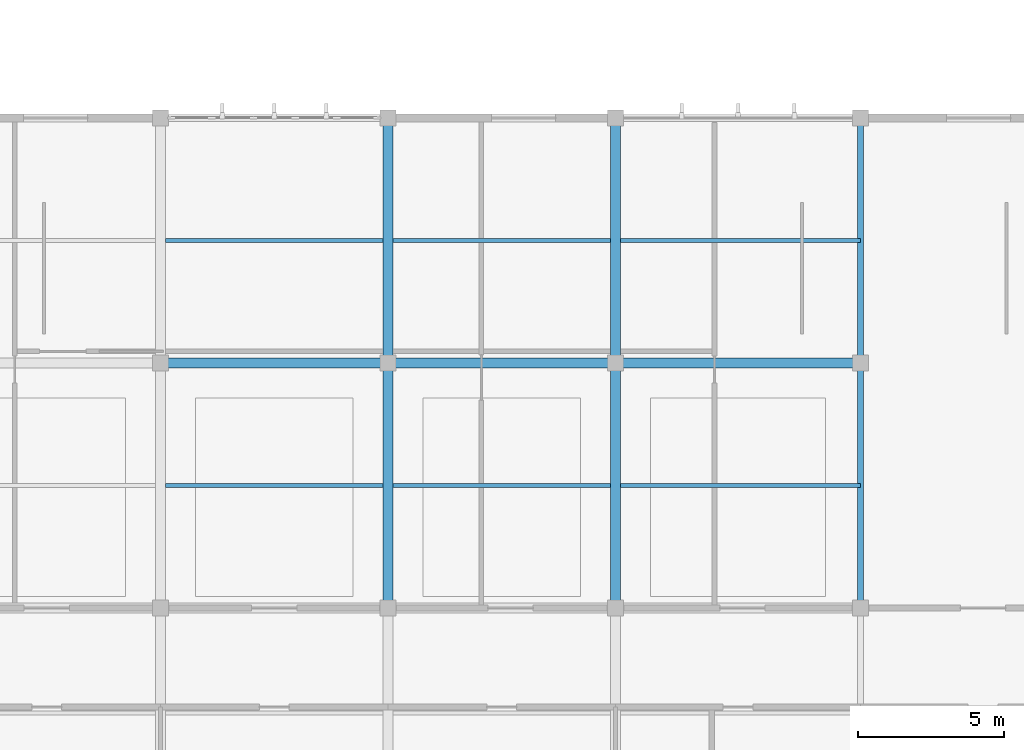
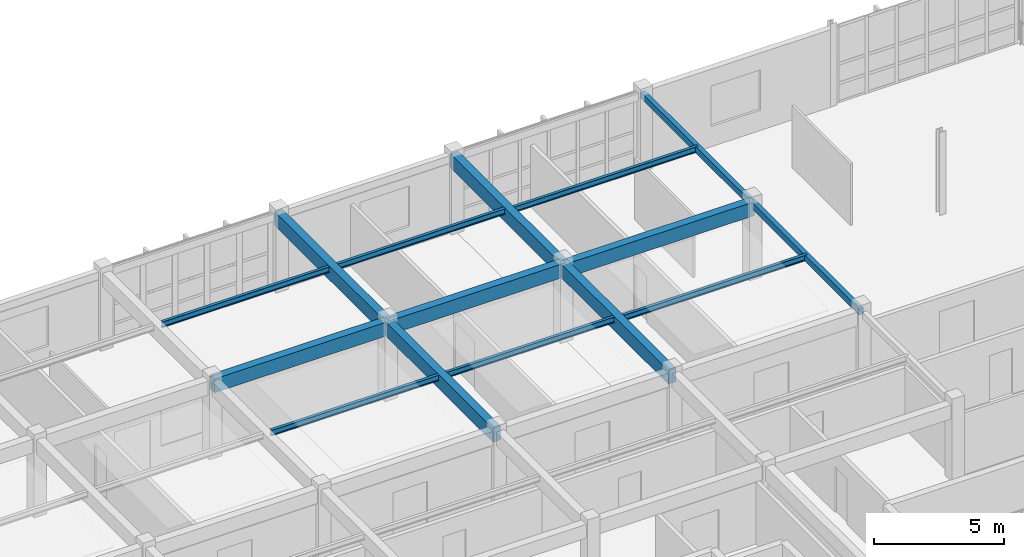
# One storey, part 12 of 35: 15 beams.
"""IFC4 building model written with IfcOpenShell, lengths in metres."""

import ifcopenshell
import ifcopenshell.guid

model = None  # the IFC model being written
_history = None  # IfcOwnerHistory: only IFC2X3 demands one
_inside = {}  # id of a spatial element -> (the spatial element, [elements in it])
_under = {}  # id of a project, library or spatial element -> (it, [spatial elements below it])
_declared = {}  # id of a project -> (the project, [libraries it declares])
_typed = {}  # id of a type object -> (the type object, [elements of that type])
_made_of = {}  # id of a material, layer set ... -> (it, [elements and type objects made of it])


def new_model(schema):
    """Start an empty IFC model of exactly this schema.

    Asked for "IFC4X3", IfcOpenShell would pick the latest addendum, in which some entities
    have other attributes; the version numbers below select the first issue.
    IFC2X3 requires an IfcOwnerHistory on every rooted entity: one is made here for all.
    """
    global model, _history
    if schema == "IFC4X3":
        model = ifcopenshell.file(schema_version=(4, 3, 0, 0))
    else:
        model = ifcopenshell.file(schema=schema)
    _inside.clear()
    _under.clear()
    _declared.clear()
    _typed.clear()
    _made_of.clear()
    _history = None
    if model.schema == "IFC2X3":
        org = make("IfcOrganization", Name="unknown")
        user = make(
            "IfcPersonAndOrganization",
            ThePerson=make("IfcPerson", FamilyName="unknown"),
            TheOrganization=org,
        )
        app = make(
            "IfcApplication",
            ApplicationDeveloper=org,
            Version="unknown",
            ApplicationFullName="unknown",
            ApplicationIdentifier="unknown",
        )
        _history = make(
            "IfcOwnerHistory",
            OwningUser=user,
            OwningApplication=app,
            ChangeAction="ADDED",
            CreationDate=0,
        )
    return model


def make(cls, **values):
    """One entity of the class cls with the attributes given. An attribute that is None is left unset."""
    return model.create_entity(
        cls, **{name: value for name, value in values.items() if value is not None}
    )


def rooted(cls, **values):
    """An entity with a GlobalId (a new one), such as an element, a storey or a relation."""
    return make(cls, GlobalId=ifcopenshell.guid.new(), OwnerHistory=_history, **values)


def si_unit(unit_type, name, prefix=None):
    """IfcSIUnit, for example si_unit("LENGTHUNIT", "METRE", prefix="MILLI")."""
    return make("IfcSIUnit", UnitType=unit_type, Prefix=prefix, Name=name)


def assignment(units):
    """IfcUnitAssignment: the units of a project."""
    return None if units is None else make("IfcUnitAssignment", Units=units)


def point(xyz):
    """IfcCartesianPoint."""
    return None if xyz is None else make("IfcCartesianPoint", Coordinates=xyz)


def direction(xyz):
    """IfcDirection."""
    return None if xyz is None else make("IfcDirection", DirectionRatios=xyz)


def frame(location, z_axis=None, x_axis=None):
    """IfcAxis2Placement3D, a coordinate frame: its origin and axes. An axis left out is left unset."""
    return make(
        "IfcAxis2Placement3D",
        Location=point(location),
        Axis=direction(z_axis),
        RefDirection=direction(x_axis),
    )


def frame_2d(location, x_axis=None):
    """IfcAxis2Placement2D, a coordinate frame in the plane: its origin and x axis."""
    return make(
        "IfcAxis2Placement2D", Location=point(location), RefDirection=direction(x_axis)
    )


def origin():
    """The frame at (0, 0, 0) with its axes left unset."""
    return frame((0.0, 0.0, 0.0))


def origin_2d():
    """The frame at (0, 0) in the plane with its x axis left unset."""
    return frame_2d((0.0, 0.0))


def place(relative_to, where):
    """IfcLocalPlacement: puts the frame where relative to a parent placement (None: the world)."""
    return make(
        "IfcLocalPlacement", PlacementRelTo=relative_to, RelativePlacement=where
    )


def context(
    kind, dimensions, precision=None, world=None, true_north=None, identifier=None
):
    """IfcGeometricRepresentationContext, for example the 3D "Model" context."""
    return make(
        "IfcGeometricRepresentationContext",
        ContextIdentifier=identifier,
        ContextType=kind,
        CoordinateSpaceDimension=dimensions,
        Precision=precision,
        WorldCoordinateSystem=world,
        TrueNorth=true_north,
    )


def subcontext(parent, identifier, kind, view, scale=None):
    """IfcGeometricRepresentationSubContext, for example "Body" below "Model"."""
    return make(
        "IfcGeometricRepresentationSubContext",
        ContextIdentifier=identifier,
        ContextType=kind,
        ParentContext=parent,
        TargetScale=scale,
        TargetView=view,
    )


def project(units=None, contexts=None):
    """IfcProject with its units and contexts."""
    return rooted(
        "IfcProject",
        Name="project",
        RepresentationContexts=contexts,
        UnitsInContext=assignment(units),
    )


def spatial(cls, under=None, at=None, **own):
    """A site, building, storey or space (cls), placed at a placement, below another one or the project."""
    s = rooted(cls, ObjectPlacement=at, **own)
    if under is not None:
        _under.setdefault(under.id(), (under, []))[1].append(s)
    return s


def profile(cls, at=None, kind="AREA", **sizes):
    """A parametric profile (cls). Its sizes go by their IFC names, for example OverallWidth=200.0."""
    return make(cls, ProfileType=kind, Position=at, **sizes)


def rectangle(**sizes):
    """IfcRectangleProfileDef."""
    return profile("IfcRectangleProfileDef", **sizes)


def hollow_rectangle(**sizes):
    """IfcRectangleHollowProfileDef."""
    return profile("IfcRectangleHollowProfileDef", **sizes)


def i_section(**sizes):
    """IfcIShapeProfileDef."""
    return profile("IfcIShapeProfileDef", **sizes)


def extrude(swept, where, along, depth):
    """IfcExtrudedAreaSolid: the profile swept, set in the frame where, extruded along a direction by depth."""
    return make(
        "IfcExtrudedAreaSolid",
        SweptArea=swept,
        Position=where,
        ExtrudedDirection=direction(along),
        Depth=depth,
    )


def shape(context_of_items, identifier, shape_type, items):
    """IfcShapeRepresentation: the items that make up one representation, for example the "Body"."""
    return make(
        "IfcShapeRepresentation",
        ContextOfItems=context_of_items,
        RepresentationIdentifier=identifier,
        RepresentationType=shape_type,
        Items=items,
    )


def material(Name=None, Category=None):
    """IfcMaterial."""
    return make("IfcMaterial", Name=Name, Category=Category)


def material_profile(
    of_material, cross_section, Name=None, Category=None, Priority=None
):
    """IfcMaterialProfile: a cross section and its material."""
    return make(
        "IfcMaterialProfile",
        Name=Name,
        Material=of_material,
        Profile=cross_section,
        Priority=Priority,
        Category=Category,
    )


def profile_set(profiles, Name=None, composite=None):
    """IfcMaterialProfileSet."""
    return make(
        "IfcMaterialProfileSet",
        Name=Name,
        MaterialProfiles=profiles,
        CompositeProfile=composite,
    )


def made_of(thing, what):
    """Note that an element or type object is made of a material, layer set ...; save() writes the relation."""
    if what is not None:
        _made_of.setdefault(what.id(), (what, []))[1].append(thing)
    return thing


def type_object(cls, material=None, **own):
    """A type object (cls), such as IfcWallType, which elements share."""
    return made_of(rooted(cls, **own), material)


def element(
    cls,
    number,
    at=None,
    inside=None,
    cuts=None,
    type_object=None,
    material=None,
    context=None,
    identifier="Body",
    shape_type=None,
    held_by="IfcProductDefinitionShape",
    body=None,
    shapes=None,
    **own,
):
    """One element of the class cls, such as IfcWall. Its Tag is "e" and its number.

    at: its placement. inside: the storey or other place that contains it. cuts: it is an
    opening in that element (IfcRelVoidsElement). A single representation is given by context,
    identifier, shape_type and body (its items); several are given by shapes. held_by: the class
    of the entity that holds the representations. save() writes the other relations.
    """
    e = rooted(cls, Tag="e%d" % number, ObjectPlacement=at, **own)
    if body is not None:
        shapes = [shape(context, identifier, shape_type, body)]
    if shapes is not None:
        e.Representation = make(held_by, Representations=shapes)
    if inside is not None:
        _inside.setdefault(inside.id(), (inside, []))[1].append(e)
    if cuts is not None:
        rooted(
            "IfcRelVoidsElement", RelatingBuildingElement=cuts, RelatedOpeningElement=e
        )
    if type_object is not None:
        _typed.setdefault(type_object.id(), (type_object, []))[1].append(e)
    return made_of(e, material)


def aggregate(whole, parts):
    """IfcRelAggregates: a whole, such as a stair, and the parts it consists of."""
    return rooted("IfcRelAggregates", RelatingObject=whole, RelatedObjects=parts)


def save(model, path):
    """Write the relations noted so far, then the file.

    IfcRelAggregates (storeys below a building ...), IfcRelContainedInSpatialStructure (elements
    in a storey), IfcRelDefinesByType, IfcRelAssociatesMaterial and IfcRelDeclares: one each for
    every whole, place, type object, material and project.
    """
    for whole, parts in _under.values():
        aggregate(whole, parts)
    for where, things in _inside.values():
        rooted(
            "IfcRelContainedInSpatialStructure",
            RelatedElements=things,
            RelatingStructure=where,
        )
    for kind, things in _typed.values():
        rooted("IfcRelDefinesByType", RelatedObjects=things, RelatingType=kind)
    for what, things in _made_of.values():
        rooted("IfcRelAssociatesMaterial", RelatedObjects=things, RelatingMaterial=what)
    for by, libraries in _declared.values():
        rooted("IfcRelDeclares", RelatingContext=by, RelatedDefinitions=libraries)
    model.write(path)


model = new_model("IFC4")

# Units and contexts
model_context = context("Model", 3, precision=1e-05, world=origin(), true_north=direction((0.0, 1.0)))
body_context = subcontext(model_context, "Body", "Model", "MODEL_VIEW")
ifc_project = project(units=[si_unit("LENGTHUNIT", "METRE"), si_unit("AREAUNIT", "SQUARE_METRE"), si_unit("VOLUMEUNIT", "CUBIC_METRE"), si_unit("PLANEANGLEUNIT", "RADIAN"), si_unit("MASSUNIT", "GRAM", prefix="KILO")], contexts=[model_context])

# Site, building, storey
site_placement = place(None, origin())
site = spatial("IfcSite", under=ifc_project, at=site_placement, CompositionType="ELEMENT")
building_placement = place(site_placement, origin())
building = spatial("IfcBuilding", under=site, at=building_placement, Name="Tizgana Railside Sports Hall", CompositionType="ELEMENT")
storey_placement = place(building_placement, frame((0.0, 0.0, 15.89990234375)))
storey = spatial("IfcBuildingStorey", under=building, at=storey_placement, Name="L03", CompositionType="ELEMENT", Elevation=15.89990234375)

# Beams
ifc_material_1 = material(Name="Concrete C35/45", Category="concrete")
ifc_material_profile_1 = material_profile(ifc_material_1, rectangle(XDim=0.35009765625, YDim=0.64990234375, at=origin_2d()), Name="RCB 350x650")
ifc_profile_set_1 = profile_set([ifc_material_profile_1], Name="Concrete C35/45")
beam_type_1 = type_object("IfcBeamType", Name="Concrete Beam RCB 350x650", PredefinedType="BEAM", material=ifc_profile_set_1)
for number, where, z_axis, x_axis, name in (
    (1, (46.800048828125, 15.60009765625, 3.31103515625), (0.0, 1.0, 0.0), (-1.0, 0.0, 0.0), "L03 BEM-0723"),
    (2, (46.800048828125, 24.0, 3.31103515625), (0.0, 1.0, 0.0), (-1.0, 0.0, 0.0), "L03 BEM-0724"),
    (3, (54.60009765625, 15.60009765625, 3.31103515625), (0.0, 1.0, 0.0), (-1.0, 0.0, 0.0), "L03 BEM-0727"),
    (4, (54.60009765625, 24.0, 3.31103515625), (0.0, 1.0, 0.0), (-1.0, 0.0, 0.0), "L03 BEM-0728"),
):
    element("IfcBeam", number, at=place(storey_placement, frame(where, z_axis=z_axis, x_axis=x_axis)), inside=storey, type_object=beam_type_1, Name=name, PredefinedType="BEAM", context=body_context, shape_type="SweptSolid", body=[
        extrude(rectangle(XDim=0.35009765625, YDim=0.64990234375, at=origin_2d()), origin(), (0.0, 0.0, 1.0), 8.39990234375),
    ])
for number, where, z_axis, x_axis, name in (
    (5, (39.0, 24.0, 3.31103515625), (1.0, 0.0, 0.0), (0.0, 1.0, 0.0), "L03 BEM-0766"),
    (6, (46.800048828125, 24.0, 3.31103515625), (1.0, 0.0, 0.0), (0.0, 1.0, 0.0), "L03 BEM-0773"),
):
    element("IfcBeam", number, at=place(storey_placement, frame(where, z_axis=z_axis, x_axis=x_axis)), inside=storey, type_object=beam_type_1, Name=name, PredefinedType="BEAM", context=body_context, shape_type="SweptSolid", body=[
        extrude(rectangle(XDim=0.35009765625, YDim=0.64990234375, at=origin_2d()), origin(), (0.0, 0.0, 1.0), 7.800048828125),
    ])
beam_placement = place(storey_placement, frame((54.60009765625, 24.0, 3.2412109375), z_axis=(1.0, 0.0, 0.0), x_axis=(0.0, 1.0, 0.0)))
element("IfcBeam", 7, at=beam_placement, inside=storey, type_object=beam_type_1, Name="L03 BEM-0780", PredefinedType="BEAM", context=body_context, shape_type="SweptSolid", body=[
    extrude(rectangle(XDim=0.35009765625, YDim=0.64990234375, at=origin_2d()), origin(), (0.0, 0.0, 1.0), 8.39990234375),
])
ifc_material_2 = material(Name="Steel S355J2", Category="steel")
ifc_material_profile_2 = material_profile(ifc_material_2, i_section(OverallWidth=0.1298828125, OverallDepth=0.27001953125, WebThickness=0.006591796875, FlangeThickness=0.01025390625, FilletRadius=0.014892578125, at=origin_2d()), Name="IPE 270")
ifc_profile_set_2 = profile_set([ifc_material_profile_2], Name="Steel S355J2")
beam_type_2 = type_object("IfcBeamType", Name="Steel Joist IPE 270", PredefinedType="JOIST", material=ifc_profile_set_2)
for number, where, z_axis, x_axis, name in (
    (8, (39.169921875, 19.800048828125, 3.5009765625), (1.0, 0.0, 0.0), (0.0, 1.0, 0.0), "L03 BEM-0769"),
    (9, (39.169921875, 28.199951171875, 3.5009765625), (1.0, 0.0, 0.0), (0.0, 1.0, 0.0), "L03 BEM-0770"),
    (10, (46.969970703125, 19.800048828125, 3.5009765625), (1.0, 0.0, 0.0), (0.0, 1.0, 0.0), "L03 BEM-0776"),
    (11, (46.969970703125, 28.199951171875, 3.5009765625), (1.0, 0.0, 0.0), (0.0, 1.0, 0.0), "L03 BEM-0777"),
):
    element("IfcBeam", number, at=place(storey_placement, frame(where, z_axis=z_axis, x_axis=x_axis)), inside=storey, type_object=beam_type_2, Name=name, PredefinedType="JOIST", context=body_context, shape_type="SweptSolid", body=[
        extrude(i_section(OverallWidth=0.1298828125, OverallDepth=0.27001953125, WebThickness=0.006591796875, FlangeThickness=0.01025390625, FilletRadius=0.014892578125, at=origin_2d()), origin(), (0.0, 0.0, 1.0), 7.4599609375),
    ])
for number, where, z_axis, x_axis, name in (
    (12, (54.77001953125, 19.800048828125, 3.43115234375), (1.0, 0.0, 0.0), (0.0, 1.0, 0.0), "L03 BEM-0783"),
    (13, (54.77001953125, 28.199951171875, 3.43115234375), (1.0, 0.0, 0.0), (0.0, 1.0, 0.0), "L03 BEM-0784"),
):
    element("IfcBeam", number, at=place(storey_placement, frame(where, z_axis=z_axis, x_axis=x_axis)), inside=storey, type_object=beam_type_2, Name=name, PredefinedType="JOIST", context=body_context, shape_type="SweptSolid", body=[
        extrude(i_section(OverallWidth=0.1298828125, OverallDepth=0.27001953125, WebThickness=0.006591796875, FlangeThickness=0.01025390625, FilletRadius=0.014892578125, at=origin_2d()), origin(), (0.0, 0.0, 1.0), 8.22998046875),
    ])
ifc_material_profile_3 = material_profile(ifc_material_2, hollow_rectangle(XDim=0.199951171875, YDim=0.300048828125, WallThickness=0.010009765625, at=origin_2d()), Name="RHS 300x200x10")
ifc_profile_set_3 = profile_set([ifc_material_profile_3], Name="Steel S355J2")
beam_type_3 = type_object("IfcBeamType", Name="Steel Spandrel RHS 300x200x10", PredefinedType="SPANDREL", material=ifc_profile_set_3)
for number, where, z_axis, x_axis, name in (
    (14, (63.0, 15.60009765625, 3.416015625), (0.0, 1.0, 0.0), (-1.0, 0.0, 0.0), "L03 BEM-0730"),
    (15, (63.0, 24.0, 3.416015625), (0.0, 1.0, 0.0), (-1.0, 0.0, 0.0), "L03 BEM-0731"),
):
    element("IfcBeam", number, at=place(storey_placement, frame(where, z_axis=z_axis, x_axis=x_axis)), inside=storey, type_object=beam_type_3, Name=name, PredefinedType="SPANDREL", context=body_context, shape_type="SweptSolid", body=[
        extrude(hollow_rectangle(XDim=0.199951171875, YDim=0.300048828125, WallThickness=0.010009765625, at=origin_2d()), origin(), (0.0, 0.0, 1.0), 8.39990234375),
    ])

save(model, "model.ifc")
